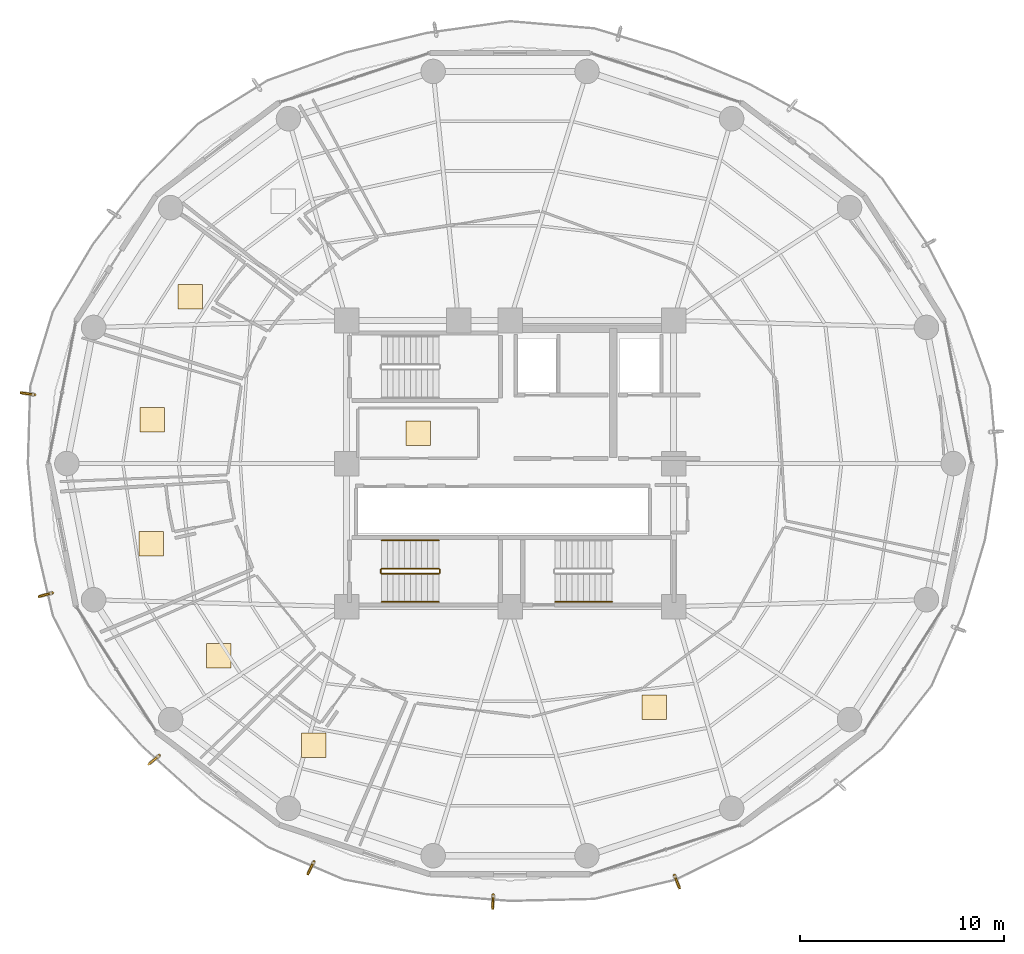
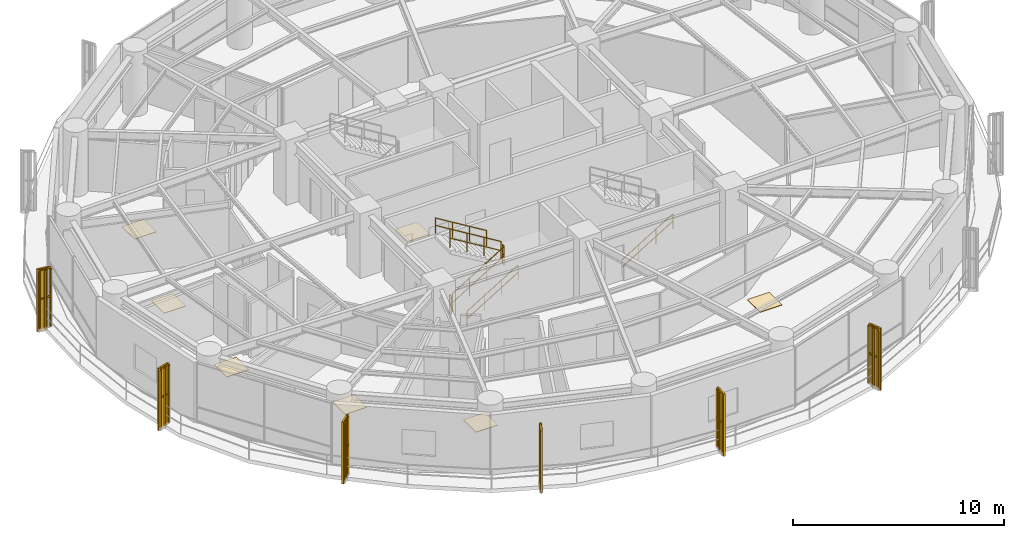
# One storey, part 25 of 27: 13 railings, 7 coverings, 6 shading devices.
"""IFC4 building model written with IfcOpenShell, lengths in metres."""

from ifc_helpers import new_model, si_unit, direction, frame, origin, origin_2d, place, context, subcontext, project, spatial, polyline, rectangle, outline, extrude, source, transform, mapped, material, layer, layer_set, type_object, element, save


model = new_model("IFC4")

# Units and contexts
model_context = context("Model", 3, precision=1e-05, world=origin(), true_north=direction((0.0, 1.0)))
body_context = subcontext(model_context, "Body", "Model", "MODEL_VIEW")
ifc_project = project(units=[si_unit("LENGTHUNIT", "METRE"), si_unit("AREAUNIT", "SQUARE_METRE"), si_unit("VOLUMEUNIT", "CUBIC_METRE"), si_unit("PLANEANGLEUNIT", "RADIAN"), si_unit("MASSUNIT", "GRAM", prefix="KILO")], contexts=[model_context])

# Site, building, storey
site_placement = place(None, origin())
site = spatial("IfcSite", under=ifc_project, at=site_placement, CompositionType="ELEMENT")
building_placement = place(site_placement, origin())
building = spatial("IfcBuilding", under=site, at=building_placement, Name="Kelanora Arch Commons", CompositionType="ELEMENT")
storey_placement = place(building_placement, frame((0.0, 0.0, 154.35009765625)))
storey = spatial("IfcBuildingStorey", under=building, at=storey_placement, Name="L39", CompositionType="ELEMENT", Elevation=154.35009765625)

# Railings
ifc_material_1 = material(Name="Anodised bronze vertical shading fin rib assembly")
railing_type_1 = type_object("IfcRailingType", Name="RAIL-FIN-BRZ", PredefinedType="BALUSTRADE", material=ifc_material_1)
railing_1_placement = place(storey_placement, frame((50.731689453125, 61.367431640625, -0.02001953125)))
element("IfcRailing", 1, at=railing_1_placement, inside=storey, type_object=railing_type_1, Name="Sweeping Bronze Vertical Fin Blade L39-07", PredefinedType="BALUSTRADE", context=body_context, shape_type="SweptSolid", body=[
    extrude(outline(polyline([(0.06982421875, 0.0), (0.034912109375, 0.060546875), (-0.034912109375, 0.060546875), (-0.06982421875, 0.0), (-0.034912109375, -0.060546875), (0.034912109375, -0.060546875), (0.06982421875, 0.0)])), frame((0.0, 0.0, 3.419921875), z_axis=(-0.98963164545, 0.143628709956, 0.0), x_axis=(-0.143628709956, -0.98963164545, 0.0)), (0.0, 0.0, 1.0), 0.57275390625),
    extrude(outline(polyline([(0.06982421875, 0.0), (0.034912109375, 0.060546875), (-0.034912109375, 0.060546875), (-0.06982421875, 0.0), (-0.034912109375, -0.060546875), (0.034912109375, -0.060546875), (0.06982421875, 0.0)])), frame((0.0, 0.0, 1.7451171875), z_axis=(-0.98963164545, 0.143628709956, 0.0), x_axis=(-0.143628709956, -0.98963164545, 0.0)), (0.0, 0.0, 1.0), 0.57275390625),
    extrude(outline(polyline([(0.080078125, 0.0), (0.0400390625, 0.0693359375), (-0.0400390625, 0.0693359375), (-0.080078125, 0.0), (-0.0400390625, -0.0693359375), (0.0400390625, -0.0693359375), (0.080078125, 0.0)])), origin(), (0.0, 0.0, 1.0), 3.35009765625),
    extrude(outline(polyline([(0.080078125, 0.0), (0.0400390625, 0.0693359375), (-0.0400390625, 0.0693359375), (-0.080078125, 0.0), (-0.0400390625, -0.0693359375), (0.0400390625, -0.0693359375), (0.080078125, 0.0)])), frame((-0.283447265625, 0.041015625, 0.0)), (0.0, 0.0, 1.0), 3.35009765625),
    extrude(outline(polyline([(0.080078125, 0.0), (0.0400390625, 0.0693359375), (-0.0400390625, 0.0693359375), (-0.080078125, 0.0), (-0.0400390625, -0.0693359375), (0.0400390625, -0.0693359375), (0.080078125, 0.0)])), frame((-0.56689453125, 0.082275390625, 0.0)), (0.0, 0.0, 1.0), 3.35009765625),
])
railing_2_placement = place(storey_placement, frame((51.600341796875, 51.67626953125, -0.02001953125)))
element("IfcRailing", 2, at=railing_2_placement, inside=storey, type_object=railing_type_1, Name="Sweeping Bronze Vertical Fin Blade L39-08", PredefinedType="BALUSTRADE", context=body_context, shape_type="SweptSolid", body=[
    extrude(outline(polyline([(0.06982421875, 0.0), (0.034912109375, 0.060546875), (-0.034912109375, 0.060546875), (-0.06982421875, 0.0), (-0.034912109375, -0.060546875), (0.034912109375, -0.060546875), (0.06982421875, 0.0)])), frame((0.0, 0.0, 3.419921875), z_axis=(-0.962403957172, -0.271622206787, 0.0), x_axis=(0.271622206787, -0.962403957172, 0.0)), (0.0, 0.0, 1.0), 0.572509765625),
    extrude(outline(polyline([(0.06982421875, 0.0), (0.034912109375, 0.060546875), (-0.034912109375, 0.060546875), (-0.06982421875, 0.0), (-0.034912109375, -0.060546875), (0.034912109375, -0.060546875), (0.06982421875, 0.0)])), frame((0.0, 0.0, 1.7451171875), z_axis=(-0.962403957172, -0.271622206787, 0.0), x_axis=(0.271622206787, -0.962403957172, 0.0)), (0.0, 0.0, 1.0), 0.572509765625),
    extrude(outline(polyline([(0.080078125, 0.0), (0.0400390625, 0.0693359375), (-0.0400390625, 0.0693359375), (-0.080078125, 0.0), (-0.0400390625, -0.0693359375), (0.0400390625, -0.0693359375), (0.080078125, 0.0)])), origin(), (0.0, 0.0, 1.0), 3.35009765625),
    extrude(outline(polyline([(0.080078125, 0.0), (0.0400390625, 0.0693359375), (-0.0400390625, 0.0693359375), (-0.080078125, 0.0), (-0.0400390625, -0.0693359375), (0.0400390625, -0.0693359375), (0.080078125, 0.0)])), frame((-0.275390625, -0.07763671875, 0.0)), (0.0, 0.0, 1.0), 3.35009765625),
    extrude(outline(polyline([(0.080078125, 0.0), (0.0400390625, 0.0693359375), (-0.0400390625, 0.0693359375), (-0.080078125, 0.0), (-0.0400390625, -0.0693359375), (0.0400390625, -0.0693359375), (0.080078125, 0.0)])), frame((-0.551025390625, -0.155517578125, 0.0)), (0.0, 0.0, 1.0), 3.35009765625),
])
railing_3_placement = place(storey_placement, frame((56.8359375, 43.71728515625, -0.02001953125)))
element("IfcRailing", 3, at=railing_3_placement, inside=storey, type_object=railing_type_1, Name="Sweeping Bronze Vertical Fin Blade L39-09", PredefinedType="BALUSTRADE", context=body_context, shape_type="SweptSolid", body=[
    extrude(outline(polyline([(0.06982421875, 0.0), (0.034912109375, 0.060546875), (-0.034912109375, 0.060546875), (-0.06982421875, 0.0), (-0.034912109375, -0.060546875), (0.034912109375, -0.060546875), (0.06982421875, 0.0)])), frame((0.0, 0.0, 3.419921875), z_axis=(-0.768535636464, -0.639806982991, 0.0), x_axis=(0.639806982991, -0.768535636464, 0.0)), (0.0, 0.0, 1.0), 0.57275390625),
    extrude(outline(polyline([(0.06982421875, 0.0), (0.034912109375, 0.060546875), (-0.034912109375, 0.060546875), (-0.06982421875, 0.0), (-0.034912109375, -0.060546875), (0.034912109375, -0.060546875), (0.06982421875, 0.0)])), frame((0.0, 0.0, 1.7451171875), z_axis=(-0.768535636464, -0.639806982991, 0.0), x_axis=(0.639806982991, -0.768535636464, 0.0)), (0.0, 0.0, 1.0), 0.57275390625),
    extrude(outline(polyline([(0.080078125, 0.0), (0.0400390625, 0.0693359375), (-0.0400390625, 0.0693359375), (-0.080078125, 0.0), (-0.0400390625, -0.0693359375), (0.0400390625, -0.0693359375), (0.080078125, 0.0)])), origin(), (0.0, 0.0, 1.0), 3.35009765625),
    extrude(outline(polyline([(0.080078125, 0.0), (0.0400390625, 0.0693359375), (-0.0400390625, 0.0693359375), (-0.080078125, 0.0), (-0.0400390625, -0.0693359375), (0.0400390625, -0.0693359375), (0.080078125, 0.0)])), frame((-0.22021484375, -0.18310546875, 0.0)), (0.0, 0.0, 1.0), 3.35009765625),
    extrude(outline(polyline([(0.080078125, 0.0), (0.0400390625, 0.0693359375), (-0.0400390625, 0.0693359375), (-0.080078125, 0.0), (-0.0400390625, -0.0693359375), (0.0400390625, -0.0693359375), (0.080078125, 0.0)])), frame((-0.440185546875, -0.366455078125, 0.0)), (0.0, 0.0, 1.0), 3.35009765625),
])
railing_4_placement = place(storey_placement, frame((64.401611328125, 38.523193359375, -0.02001953125)))
element("IfcRailing", 4, at=railing_4_placement, inside=storey, type_object=railing_type_1, Name="Sweeping Bronze Vertical Fin Blade L39-10", PredefinedType="BALUSTRADE", context=body_context, shape_type="SweptSolid", body=[
    extrude(outline(polyline([(0.06982421875, 0.0), (0.034912109375, 0.060546875), (-0.034912109375, 0.060546875), (-0.06982421875, 0.0), (-0.034912109375, -0.060546875), (0.034912109375, -0.060546875), (0.06982421875, 0.0)])), frame((0.0, 0.0, 3.419921875), z_axis=(-0.442433377939, -0.896801374935, 0.0), x_axis=(0.896801374935, -0.442433377939, 0.0)), (0.0, 0.0, 1.0), 0.57275390625),
    extrude(outline(polyline([(0.06982421875, 0.0), (0.034912109375, 0.060546875), (-0.034912109375, 0.060546875), (-0.06982421875, 0.0), (-0.034912109375, -0.060546875), (0.034912109375, -0.060546875), (0.06982421875, 0.0)])), frame((0.0, 0.0, 1.7451171875), z_axis=(-0.442433377939, -0.896801374935, 0.0), x_axis=(0.896801374935, -0.442433377939, 0.0)), (0.0, 0.0, 1.0), 0.57275390625),
    extrude(outline(polyline([(0.080078125, 0.0), (0.0400390625, 0.0693359375), (-0.0400390625, 0.0693359375), (-0.080078125, 0.0), (-0.0400390625, -0.0693359375), (0.0400390625, -0.0693359375), (0.080078125, 0.0)])), origin(), (0.0, 0.0, 1.0), 3.35009765625),
    extrude(outline(polyline([(0.080078125, 0.0), (0.0400390625, 0.0693359375), (-0.0400390625, 0.0693359375), (-0.080078125, 0.0), (-0.0400390625, -0.0693359375), (0.0400390625, -0.0693359375), (0.080078125, 0.0)])), frame((-0.126708984375, -0.2568359375, 0.0)), (0.0, 0.0, 1.0), 3.35009765625),
    extrude(outline(polyline([(0.080078125, 0.0), (0.0400390625, 0.0693359375), (-0.0400390625, 0.0693359375), (-0.080078125, 0.0), (-0.0400390625, -0.0693359375), (0.0400390625, -0.0693359375), (0.080078125, 0.0)])), frame((-0.25341796875, -0.513671875, 0.0)), (0.0, 0.0, 1.0), 3.35009765625),
])
railing_5_placement = place(storey_placement, frame((73.17626953125, 36.895751953125, -0.02001953125)))
element("IfcRailing", 5, at=railing_5_placement, inside=storey, type_object=railing_type_1, Name="Sweeping Bronze Vertical Fin Blade L39-11", PredefinedType="BALUSTRADE", context=body_context, shape_type="SweptSolid", body=[
    extrude(outline(polyline([(0.06982421875, 0.0), (0.034912109375, 0.060546875), (-0.034912109375, 0.060546875), (-0.06982421875, 0.0), (-0.034912109375, -0.060546875), (0.034912109375, -0.060546875), (0.06982421875, 0.0)])), frame((0.0, 0.0, 3.419921875), z_axis=(-0.038776784089, -0.999247897679, 0.0), x_axis=(0.999247897679, -0.038776784089, 0.0)), (0.0, 0.0, 1.0), 0.572998046875),
    extrude(outline(polyline([(0.06982421875, 0.0), (0.034912109375, 0.060546875), (-0.034912109375, 0.060546875), (-0.06982421875, 0.0), (-0.034912109375, -0.060546875), (0.034912109375, -0.060546875), (0.06982421875, 0.0)])), frame((0.0, 0.0, 1.7451171875), z_axis=(-0.038776784089, -0.999247897679, 0.0), x_axis=(0.999247897679, -0.038776784089, 0.0)), (0.0, 0.0, 1.0), 0.572998046875),
    extrude(outline(polyline([(0.080078125, 0.0), (0.0400390625, 0.0693359375), (-0.0400390625, 0.0693359375), (-0.080078125, 0.0), (-0.0400390625, -0.0693359375), (0.0400390625, -0.0693359375), (0.080078125, 0.0)])), origin(), (0.0, 0.0, 1.0), 3.35009765625),
    extrude(outline(polyline([(0.080078125, 0.0), (0.0400390625, 0.0693359375), (-0.0400390625, 0.0693359375), (-0.080078125, 0.0), (-0.0400390625, -0.0693359375), (0.0400390625, -0.0693359375), (0.080078125, 0.0)])), frame((-0.01123046875, -0.2861328125, 0.0)), (0.0, 0.0, 1.0), 3.35009765625),
    extrude(outline(polyline([(0.080078125, 0.0), (0.0400390625, 0.0693359375), (-0.0400390625, 0.0693359375), (-0.080078125, 0.0), (-0.0400390625, -0.0693359375), (0.0400390625, -0.0693359375), (0.080078125, 0.0)])), frame((-0.022216796875, -0.572509765625, 0.0)), (0.0, 0.0, 1.0), 3.35009765625),
])
railing_6_placement = place(storey_placement, frame((82.04150390625, 37.85888671875, -0.02001953125)))
element("IfcRailing", 6, at=railing_6_placement, inside=storey, type_object=railing_type_1, Name="Sweeping Bronze Vertical Fin Blade L39-12", PredefinedType="BALUSTRADE", context=body_context, shape_type="SweptSolid", body=[
    extrude(outline(polyline([(0.06982421875, 0.0), (0.034912109375, 0.060546875), (-0.034912109375, 0.060546875), (-0.06982421875, 0.0), (-0.034912109375, -0.060546875), (0.034912109375, -0.060546875), (0.06982421875, 0.0)])), frame((0.0, 0.0, 3.419921875), z_axis=(0.370802726007, -0.928711655136, 0.0), x_axis=(0.928711655136, 0.370802726007, 0.0)), (0.0, 0.0, 1.0), 0.57275390625),
    extrude(outline(polyline([(0.06982421875, 0.0), (0.034912109375, 0.060546875), (-0.034912109375, 0.060546875), (-0.06982421875, 0.0), (-0.034912109375, -0.060546875), (0.034912109375, -0.060546875), (0.06982421875, 0.0)])), frame((0.0, 0.0, 1.7451171875), z_axis=(0.370802726007, -0.928711655136, 0.0), x_axis=(0.928711655136, 0.370802726007, 0.0)), (0.0, 0.0, 1.0), 0.57275390625),
    extrude(outline(polyline([(0.080078125, 0.0), (0.0400390625, 0.0693359375), (-0.0400390625, 0.0693359375), (-0.080078125, 0.0), (-0.0400390625, -0.0693359375), (0.0400390625, -0.0693359375), (0.080078125, 0.0)])), origin(), (0.0, 0.0, 1.0), 3.35009765625),
    extrude(outline(polyline([(0.080078125, 0.0), (0.0400390625, 0.0693359375), (-0.0400390625, 0.0693359375), (-0.080078125, 0.0), (-0.0400390625, -0.0693359375), (0.0400390625, -0.0693359375), (0.080078125, 0.0)])), frame((0.106201171875, -0.26611328125, 0.0)), (0.0, 0.0, 1.0), 3.35009765625),
    extrude(outline(polyline([(0.080078125, 0.0), (0.0400390625, 0.0693359375), (-0.0400390625, 0.0693359375), (-0.080078125, 0.0), (-0.0400390625, -0.0693359375), (0.0400390625, -0.0693359375), (0.080078125, 0.0)])), frame((0.21240234375, -0.531982421875, 0.0)), (0.0, 0.0, 1.0), 3.35009765625),
])
ifc_material_2 = material(Name="Painted steel stair well guard", Category="steel")
railing_type_2 = type_object("IfcRailingType", Name="RAIL-STAIR-GRD", PredefinedType="GUARDRAIL", material=ifc_material_2)
railing_7_placement = place(storey_placement, frame((67.719970703125, 52.610107421875, 0.17041015625)))
element("IfcRailing", 7, at=railing_7_placement, inside=storey, type_object=railing_type_2, Name="L39 ST-T3 stair guard 1", PredefinedType="GUARDRAIL", context=body_context, shape_type="SweptSolid", body=[
    extrude(outline(polyline([(0.02392578125, 0.0), (0.011962890625, 0.020751953125), (-0.011962890625, 0.020751953125), (-0.02392578125, 0.0), (-0.011962890625, -0.020751953125), (0.011962890625, -0.020751953125), (0.02392578125, 0.0)])), frame((0.0, 0.0, 1.076171875), z_axis=(0.854169791009, 0.0, 0.51999420009), x_axis=(0.0, 1.0, 0.0)), (0.0, 0.0, 1.0), 3.278076171875),
    extrude(outline(polyline([(0.02392578125, 0.0), (0.011962890625, 0.020751953125), (-0.011962890625, 0.020751953125), (-0.02392578125, 0.0), (-0.011962890625, -0.020751953125), (0.011962890625, -0.020751953125), (0.02392578125, 0.0)])), frame((0.0, 0.0, 0.550048828125), z_axis=(0.854169791009, 0.0, 0.51999420009), x_axis=(0.0, 1.0, 0.0)), (0.0, 0.0, 1.0), 3.278076171875),
    extrude(outline(polyline([(0.02099609375, 0.0), (0.010498046875, 0.01806640625), (-0.010498046875, 0.01806640625), (-0.02099609375, 0.0), (-0.010498046875, -0.01806640625), (0.010498046875, -0.01806640625), (0.02099609375, 0.0)])), origin(), (0.0, 0.0, 1.0), 1.052001953125),
    extrude(outline(polyline([(0.02099609375, 0.0), (0.010498046875, 0.01806640625), (-0.010498046875, 0.01806640625), (-0.02099609375, 0.0), (-0.010498046875, -0.01806640625), (0.010498046875, -0.01806640625), (0.02099609375, 0.0)])), frame((0.933349609375, 0.0, 0.568115234375)), (0.0, 0.0, 1.0), 1.052001953125),
    extrude(outline(polyline([(0.02099609375, 0.0), (0.010498046875, 0.01806640625), (-0.010498046875, 0.01806640625), (-0.02099609375, 0.0), (-0.010498046875, -0.01806640625), (0.010498046875, -0.01806640625), (0.02099609375, 0.0)])), frame((1.86669921875, 0.0, 1.136474609375)), (0.0, 0.0, 1.0), 1.052001953125),
    extrude(outline(polyline([(0.02099609375, 0.0), (0.010498046875, 0.01806640625), (-0.010498046875, 0.01806640625), (-0.02099609375, 0.0), (-0.010498046875, -0.01806640625), (0.010498046875, -0.01806640625), (0.02099609375, 0.0)])), frame((2.800048828125, 0.0, 1.70458984375)), (0.0, 0.0, 1.0), 1.052001953125),
])
railing_8_placement = place(storey_placement, frame((70.570068359375, 52.659912109375, 1.875)))
element("IfcRailing", 8, at=railing_8_placement, inside=storey, type_object=railing_type_2, Name="L39 ST-T3 stair guard 2", PredefinedType="GUARDRAIL", context=body_context, shape_type="SweptSolid", body=[
    extrude(outline(polyline([(0.02392578125, 0.0), (0.011962890625, 0.020751953125), (-0.011962890625, 0.020751953125), (-0.02392578125, 0.0), (-0.011962890625, -0.020751953125), (0.011962890625, -0.020751953125), (0.02392578125, 0.0)])), frame((0.0, 0.0, 1.076171875), z_axis=(0.0, 1.0, 0.0), x_axis=(-1.0, 0.0, 0.0)), (0.0, 0.0, 1.0), 0.150146484375),
    extrude(outline(polyline([(0.02392578125, 0.0), (0.011962890625, 0.020751953125), (-0.011962890625, 0.020751953125), (-0.02392578125, 0.0), (-0.011962890625, -0.020751953125), (0.011962890625, -0.020751953125), (0.02392578125, 0.0)])), frame((0.0, 0.0, 0.550048828125), z_axis=(0.0, 1.0, 0.0), x_axis=(-1.0, 0.0, 0.0)), (0.0, 0.0, 1.0), 0.150146484375),
    extrude(outline(polyline([(0.02099609375, 0.0), (0.010498046875, 0.01806640625), (-0.010498046875, 0.01806640625), (-0.02099609375, 0.0), (-0.010498046875, -0.01806640625), (0.010498046875, -0.01806640625), (0.02099609375, 0.0)])), origin(), (0.0, 0.0, 1.0), 1.052001953125),
    extrude(outline(polyline([(0.02099609375, 0.0), (0.010498046875, 0.01806640625), (-0.010498046875, 0.01806640625), (-0.02099609375, 0.0), (-0.010498046875, -0.01806640625), (0.010498046875, -0.01806640625), (0.02099609375, 0.0)])), frame((0.0, 0.150146484375, 0.0)), (0.0, 0.0, 1.0), 1.052001953125),
])
railing_9_placement = place(storey_placement, frame((70.52001953125, 52.860107421875, 2.04541015625)))
element("IfcRailing", 9, at=railing_9_placement, inside=storey, type_object=railing_type_2, Name="L39 ST-T3 stair guard 3", PredefinedType="GUARDRAIL", context=body_context, shape_type="SweptSolid", body=[
    extrude(outline(polyline([(0.02392578125, 0.0), (0.011962890625, 0.020751953125), (-0.011962890625, 0.020751953125), (-0.02392578125, 0.0), (-0.011962890625, -0.020751953125), (0.011962890625, -0.020751953125), (0.02392578125, 0.0)])), frame((0.0, 0.0, 1.076171875), z_axis=(-0.854169791009, 0.0, 0.51999420009), x_axis=(0.0, -1.0, 0.0)), (0.0, 0.0, 1.0), 3.278076171875),
    extrude(outline(polyline([(0.02392578125, 0.0), (0.011962890625, 0.020751953125), (-0.011962890625, 0.020751953125), (-0.02392578125, 0.0), (-0.011962890625, -0.020751953125), (0.011962890625, -0.020751953125), (0.02392578125, 0.0)])), frame((0.0, 0.0, 0.550048828125), z_axis=(-0.854169791009, 0.0, 0.51999420009), x_axis=(0.0, -1.0, 0.0)), (0.0, 0.0, 1.0), 3.278076171875),
    extrude(outline(polyline([(0.02099609375, 0.0), (0.010498046875, 0.01806640625), (-0.010498046875, 0.01806640625), (-0.02099609375, 0.0), (-0.010498046875, -0.01806640625), (0.010498046875, -0.01806640625), (0.02099609375, 0.0)])), origin(), (0.0, 0.0, 1.0), 1.052001953125),
    extrude(outline(polyline([(0.02099609375, 0.0), (0.010498046875, 0.01806640625), (-0.010498046875, 0.01806640625), (-0.02099609375, 0.0), (-0.010498046875, -0.01806640625), (0.010498046875, -0.01806640625), (0.02099609375, 0.0)])), frame((-0.933349609375, 0.0, 0.568115234375)), (0.0, 0.0, 1.0), 1.052001953125),
    extrude(outline(polyline([(0.02099609375, 0.0), (0.010498046875, 0.01806640625), (-0.010498046875, 0.01806640625), (-0.02099609375, 0.0), (-0.010498046875, -0.01806640625), (0.010498046875, -0.01806640625), (0.02099609375, 0.0)])), frame((-1.86669921875, 0.0, 1.136474609375)), (0.0, 0.0, 1.0), 1.052001953125),
    extrude(outline(polyline([(0.02099609375, 0.0), (0.010498046875, 0.01806640625), (-0.010498046875, 0.01806640625), (-0.02099609375, 0.0), (-0.010498046875, -0.01806640625), (0.010498046875, -0.01806640625), (0.02099609375, 0.0)])), frame((-2.800048828125, 0.0, 1.70458984375)), (0.0, 0.0, 1.0), 1.052001953125),
])
railing_10_placement = place(storey_placement, frame((67.669921875, 52.659912109375, 0.0)))
element("IfcRailing", 10, at=railing_10_placement, inside=storey, type_object=railing_type_2, Name="L39 ST-T3 stair guard 4", PredefinedType="GUARDRAIL", context=body_context, shape_type="SweptSolid", body=[
    extrude(outline(polyline([(0.02392578125, 0.0), (0.011962890625, 0.020751953125), (-0.011962890625, 0.020751953125), (-0.02392578125, 0.0), (-0.011962890625, -0.020751953125), (0.011962890625, -0.020751953125), (0.02392578125, 0.0)])), frame((0.0, 0.0, 1.076171875), z_axis=(0.0, 1.0, 0.0), x_axis=(-1.0, 0.0, 0.0)), (0.0, 0.0, 1.0), 0.150146484375),
    extrude(outline(polyline([(0.02392578125, 0.0), (0.011962890625, 0.020751953125), (-0.011962890625, 0.020751953125), (-0.02392578125, 0.0), (-0.011962890625, -0.020751953125), (0.011962890625, -0.020751953125), (0.02392578125, 0.0)])), frame((0.0, 0.0, 0.550048828125), z_axis=(0.0, 1.0, 0.0), x_axis=(-1.0, 0.0, 0.0)), (0.0, 0.0, 1.0), 0.150146484375),
    extrude(outline(polyline([(0.02099609375, 0.0), (0.010498046875, 0.01806640625), (-0.010498046875, 0.01806640625), (-0.02099609375, 0.0), (-0.010498046875, -0.01806640625), (0.010498046875, -0.01806640625), (0.02099609375, 0.0)])), origin(), (0.0, 0.0, 1.0), 1.052001953125),
    extrude(outline(polyline([(0.02099609375, 0.0), (0.010498046875, 0.01806640625), (-0.010498046875, 0.01806640625), (-0.02099609375, 0.0), (-0.010498046875, -0.01806640625), (0.010498046875, -0.01806640625), (0.02099609375, 0.0)])), frame((0.0, 0.150146484375, 0.0)), (0.0, 0.0, 1.0), 1.052001953125),
])
ifc_material_3 = material(Name="Brushed stainless steel stair handrail", Category="steel")
railing_type_3 = type_object("IfcRailingType", Name="RAIL-STAIR-HND", PredefinedType="HANDRAIL", material=ifc_material_3)
railing_11_placement = place(storey_placement, frame((76.199951171875, 51.22998046875, 0.17041015625)))
element("IfcRailing", 11, at=railing_11_placement, inside=storey, type_object=railing_type_3, Name="L39 ST-T2 stair handrail 1", PredefinedType="HANDRAIL", context=body_context, shape_type="SweptSolid", body=[
    extrude(outline(polyline([(0.02392578125, 0.0), (0.011962890625, 0.020751953125), (-0.011962890625, 0.020751953125), (-0.02392578125, 0.0), (-0.011962890625, -0.020751953125), (0.011962890625, -0.020751953125), (0.02392578125, 0.0)])), frame((0.0, 0.0, 0.8759765625), z_axis=(0.854169791009, 0.0, 0.51999420009), x_axis=(0.0, 1.0, 0.0)), (0.0, 0.0, 1.0), 3.278076171875),
    extrude(outline(polyline([(0.02392578125, 0.0), (0.011962890625, 0.020751953125), (-0.011962890625, 0.020751953125), (-0.02392578125, 0.0), (-0.011962890625, -0.020751953125), (0.011962890625, -0.020751953125), (0.02392578125, 0.0)])), frame((0.0, 0.0, 0.449951171875), z_axis=(0.854169791009, 0.0, 0.51999420009), x_axis=(0.0, 1.0, 0.0)), (0.0, 0.0, 1.0), 3.278076171875),
    extrude(outline(polyline([(0.02099609375, 0.0), (0.010498046875, 0.01806640625), (-0.010498046875, 0.01806640625), (-0.02099609375, 0.0), (-0.010498046875, -0.01806640625), (0.010498046875, -0.01806640625), (0.02099609375, 0.0)])), origin(), (0.0, 0.0, 1.0), 0.851806640625),
    extrude(outline(polyline([(0.02099609375, 0.0), (0.010498046875, 0.01806640625), (-0.010498046875, 0.01806640625), (-0.02099609375, 0.0), (-0.010498046875, -0.01806640625), (0.010498046875, -0.01806640625), (0.02099609375, 0.0)])), frame((0.933349609375, 0.0, 0.568115234375)), (0.0, 0.0, 1.0), 0.851806640625),
    extrude(outline(polyline([(0.02099609375, 0.0), (0.010498046875, 0.01806640625), (-0.010498046875, 0.01806640625), (-0.02099609375, 0.0), (-0.010498046875, -0.01806640625), (0.010498046875, -0.01806640625), (0.02099609375, 0.0)])), frame((1.86669921875, 0.0, 1.136474609375)), (0.0, 0.0, 1.0), 0.851806640625),
    extrude(outline(polyline([(0.02099609375, 0.0), (0.010498046875, 0.01806640625), (-0.010498046875, 0.01806640625), (-0.02099609375, 0.0), (-0.010498046875, -0.01806640625), (0.010498046875, -0.01806640625), (0.02099609375, 0.0)])), frame((2.800048828125, 0.0, 1.70458984375)), (0.0, 0.0, 1.0), 0.851806640625),
])
railing_12_placement = place(storey_placement, frame((67.719970703125, 51.22998046875, 0.17041015625)))
element("IfcRailing", 12, at=railing_12_placement, inside=storey, type_object=railing_type_3, Name="L39 ST-T3 stair handrail 1", PredefinedType="HANDRAIL", context=body_context, shape_type="SweptSolid", body=[
    extrude(outline(polyline([(0.02392578125, 0.0), (0.011962890625, 0.020751953125), (-0.011962890625, 0.020751953125), (-0.02392578125, 0.0), (-0.011962890625, -0.020751953125), (0.011962890625, -0.020751953125), (0.02392578125, 0.0)])), frame((0.0, 0.0, 0.8759765625), z_axis=(0.854169791009, 0.0, 0.51999420009), x_axis=(0.0, 1.0, 0.0)), (0.0, 0.0, 1.0), 3.278076171875),
    extrude(outline(polyline([(0.02392578125, 0.0), (0.011962890625, 0.020751953125), (-0.011962890625, 0.020751953125), (-0.02392578125, 0.0), (-0.011962890625, -0.020751953125), (0.011962890625, -0.020751953125), (0.02392578125, 0.0)])), frame((0.0, 0.0, 0.449951171875), z_axis=(0.854169791009, 0.0, 0.51999420009), x_axis=(0.0, 1.0, 0.0)), (0.0, 0.0, 1.0), 3.278076171875),
    extrude(outline(polyline([(0.02099609375, 0.0), (0.010498046875, 0.01806640625), (-0.010498046875, 0.01806640625), (-0.02099609375, 0.0), (-0.010498046875, -0.01806640625), (0.010498046875, -0.01806640625), (0.02099609375, 0.0)])), origin(), (0.0, 0.0, 1.0), 0.851806640625),
    extrude(outline(polyline([(0.02099609375, 0.0), (0.010498046875, 0.01806640625), (-0.010498046875, 0.01806640625), (-0.02099609375, 0.0), (-0.010498046875, -0.01806640625), (0.010498046875, -0.01806640625), (0.02099609375, 0.0)])), frame((0.933349609375, 0.0, 0.568115234375)), (0.0, 0.0, 1.0), 0.851806640625),
    extrude(outline(polyline([(0.02099609375, 0.0), (0.010498046875, 0.01806640625), (-0.010498046875, 0.01806640625), (-0.02099609375, 0.0), (-0.010498046875, -0.01806640625), (0.010498046875, -0.01806640625), (0.02099609375, 0.0)])), frame((1.86669921875, 0.0, 1.136474609375)), (0.0, 0.0, 1.0), 0.851806640625),
    extrude(outline(polyline([(0.02099609375, 0.0), (0.010498046875, 0.01806640625), (-0.010498046875, 0.01806640625), (-0.02099609375, 0.0), (-0.010498046875, -0.01806640625), (0.010498046875, -0.01806640625), (0.02099609375, 0.0)])), frame((2.800048828125, 0.0, 1.70458984375)), (0.0, 0.0, 1.0), 0.851806640625),
])
railing_13_placement = place(storey_placement, frame((70.52001953125, 54.239990234375, 2.04541015625)))
element("IfcRailing", 13, at=railing_13_placement, inside=storey, type_object=railing_type_3, Name="L39 ST-T3 stair handrail 2", PredefinedType="HANDRAIL", context=body_context, shape_type="SweptSolid", body=[
    extrude(outline(polyline([(0.02392578125, 0.0), (0.011962890625, 0.020751953125), (-0.011962890625, 0.020751953125), (-0.02392578125, 0.0), (-0.011962890625, -0.020751953125), (0.011962890625, -0.020751953125), (0.02392578125, 0.0)])), frame((0.0, 0.0, 0.8759765625), z_axis=(-0.854169791009, 0.0, 0.51999420009), x_axis=(0.0, -1.0, 0.0)), (0.0, 0.0, 1.0), 3.278076171875),
    extrude(outline(polyline([(0.02392578125, 0.0), (0.011962890625, 0.020751953125), (-0.011962890625, 0.020751953125), (-0.02392578125, 0.0), (-0.011962890625, -0.020751953125), (0.011962890625, -0.020751953125), (0.02392578125, 0.0)])), frame((0.0, 0.0, 0.449951171875), z_axis=(-0.854169791009, 0.0, 0.51999420009), x_axis=(0.0, -1.0, 0.0)), (0.0, 0.0, 1.0), 3.278076171875),
    extrude(outline(polyline([(0.02099609375, 0.0), (0.010498046875, 0.01806640625), (-0.010498046875, 0.01806640625), (-0.02099609375, 0.0), (-0.010498046875, -0.01806640625), (0.010498046875, -0.01806640625), (0.02099609375, 0.0)])), origin(), (0.0, 0.0, 1.0), 0.851806640625),
    extrude(outline(polyline([(0.02099609375, 0.0), (0.010498046875, 0.01806640625), (-0.010498046875, 0.01806640625), (-0.02099609375, 0.0), (-0.010498046875, -0.01806640625), (0.010498046875, -0.01806640625), (0.02099609375, 0.0)])), frame((-0.933349609375, 0.0, 0.568115234375)), (0.0, 0.0, 1.0), 0.851806640625),
    extrude(outline(polyline([(0.02099609375, 0.0), (0.010498046875, 0.01806640625), (-0.010498046875, 0.01806640625), (-0.02099609375, 0.0), (-0.010498046875, -0.01806640625), (0.010498046875, -0.01806640625), (0.02099609375, 0.0)])), frame((-1.86669921875, 0.0, 1.136474609375)), (0.0, 0.0, 1.0), 0.851806640625),
    extrude(outline(polyline([(0.02099609375, 0.0), (0.010498046875, 0.01806640625), (-0.010498046875, 0.01806640625), (-0.02099609375, 0.0), (-0.010498046875, -0.01806640625), (0.010498046875, -0.01806640625), (0.02099609375, 0.0)])), frame((-2.800048828125, 0.0, 1.70458984375)), (0.0, 0.0, 1.0), 0.851806640625),
])

# Shading devices
ifc_material_4 = material(Name="Terracotta ceramic-clad extruded aluminium fin", Category="masonry")
shading_device_type = type_object("IfcShadingDeviceType", Name="SHD-FIN-WAIST", PredefinedType="USERDEFINED", material=ifc_material_4)
shared_shape_1 = source(origin(), body_context, "Body", "SweptSolid", [
    extrude(rectangle(XDim=0.56005859375, YDim=0.090087890625, at=origin_2d()), origin(), (0.0, 0.0, 1.0), 3.610107421875),
])
for number, where, z_axis, x_axis, name in (
    (14, (50.3095703125, 61.4287109375, -0.14013671875), (0.0, 0.0, 1.0), (-0.989676415933, 0.143319893055, 0.0), "Sweeping Terracotta Fin L39-07"),
    (15, (51.190185546875, 51.560546875, -0.14013671875), (0.0, 0.0, 1.0), (-0.962407846499, -0.271608425858, 0.0), "Sweeping Terracotta Fin L39-08"),
    (16, (56.50830078125, 43.444580078125, -0.14013671875), (0.0, 0.0, 1.0), (-0.768730217204, -0.639573180455, 0.0), "Sweeping Terracotta Fin L39-09"),
    (17, (64.212890625, 38.140869140625, -0.14013671875), (0.0, 0.0, 1.0), (-0.44213214966, -0.896949921811, 0.0), "Sweeping Terracotta Fin L39-10"),
    (18, (73.15966796875, 36.469482421875, -0.14013671875), (0.0, 0.0, 1.0), (-0.039085416795, -0.999235873152, 0.0), "Sweeping Terracotta Fin L39-11"),
    (19, (82.19970703125, 37.462890625, -0.14013671875), (0.0, 0.0, 1.0), (0.370719539713, -0.928744864252, 0.0), "Sweeping Terracotta Fin L39-12"),
):
    element("IfcShadingDevice", number, at=place(storey_placement, frame(where, z_axis=z_axis, x_axis=x_axis)), inside=storey, type_object=shading_device_type, Name=name, ObjectType="FIN", PredefinedType="USERDEFINED", context=body_context, shape_type="MappedRepresentation", body=[
        mapped(shared_shape_1, transform((0.0, 0.0, 0.0), scale=1.0)),
    ])

# Coverings
ifc_material_5 = material(Name="Polished local granite terrazzo flooring", Category="masonry")
ifc_layer = layer(ifc_material_5, 0.030029296875)
ifc_layer_set = layer_set([ifc_layer], Name="Polished local granite terrazzo flooring")
covering_type = type_object("IfcCoveringType", Name="COV-FLR-TER", PredefinedType="FLOORING", material=ifc_layer_set)
shared_shape_2 = source(origin(), body_context, "Body", "SweptSolid", [
    extrude(rectangle(XDim=1.199951171875, YDim=1.199951171875, at=origin_2d()), origin(), (0.0, 0.0, 1.0), 0.030029296875),
])
for number, where, z_axis, x_axis, name in (
    (20, (69.5, 59.485107421875, 0.0), (0.0, 0.0, 1.0), (1.0, 0.0, 0.0), "Reclaimed Core Study Pod Lounge L39 Terrazzo Finish"),
    (21, (81.058837890625, 46.080322265625, 0.0), (0.0, 0.0, 1.0), (1.0, 0.0, 0.0), "South-East Shared Study Commons L39 Terrazzo Finish"),
    (22, (58.36328125, 66.162353515625, 0.0), (0.0, 0.0, 1.0), (1.0, 0.0, 0.0), "Co-Living Studio L39-02 Terrazzo Finish"),
    (23, (56.49658203125, 60.145751953125, 0.0), (0.0, 0.0, 1.0), (1.0, 0.0, 0.0), "Communal Dining and Social Hall L39-03 Terrazzo Finish"),
    (24, (56.453125, 54.089111328125, 0.0), (0.0, 0.0, 1.0), (1.0, 0.0, 0.0), "Co-Living Studio L39-04 Terrazzo Finish"),
    (25, (59.758544921875, 48.59619140625, 0.0), (0.0, 0.0, 1.0), (1.0, 0.0, 0.0), "Social Sky Lounge L39-05 Terrazzo Finish"),
    (26, (64.406494140625, 44.2138671875, 0.0), (0.0, 0.0, 1.0), (1.0, 0.0, 0.0), "Co-Living Studio L39-06 Terrazzo Finish"),
):
    element("IfcCovering", number, at=place(storey_placement, frame(where, z_axis=z_axis, x_axis=x_axis)), inside=storey, type_object=covering_type, Name=name, PredefinedType="FLOORING", context=body_context, shape_type="MappedRepresentation", body=[
        mapped(shared_shape_2, transform((0.0, 0.0, 0.0), scale=1.0)),
    ])

save(model, "model.ifc")
